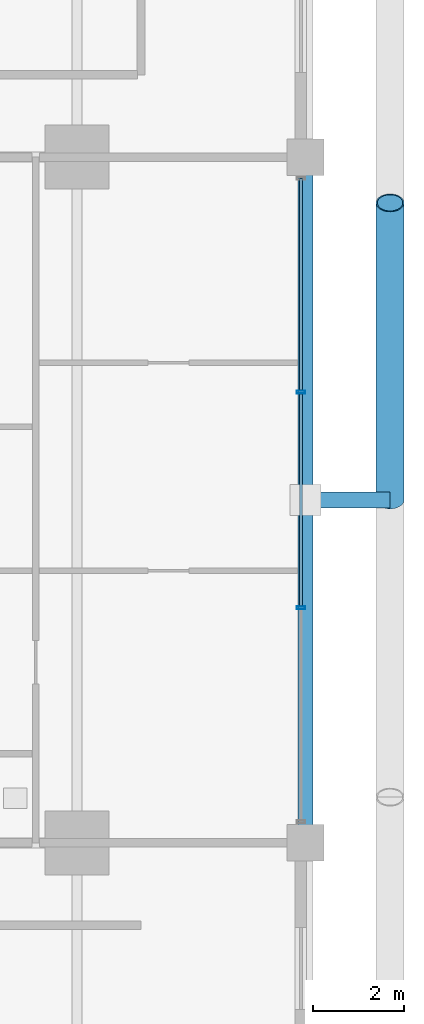
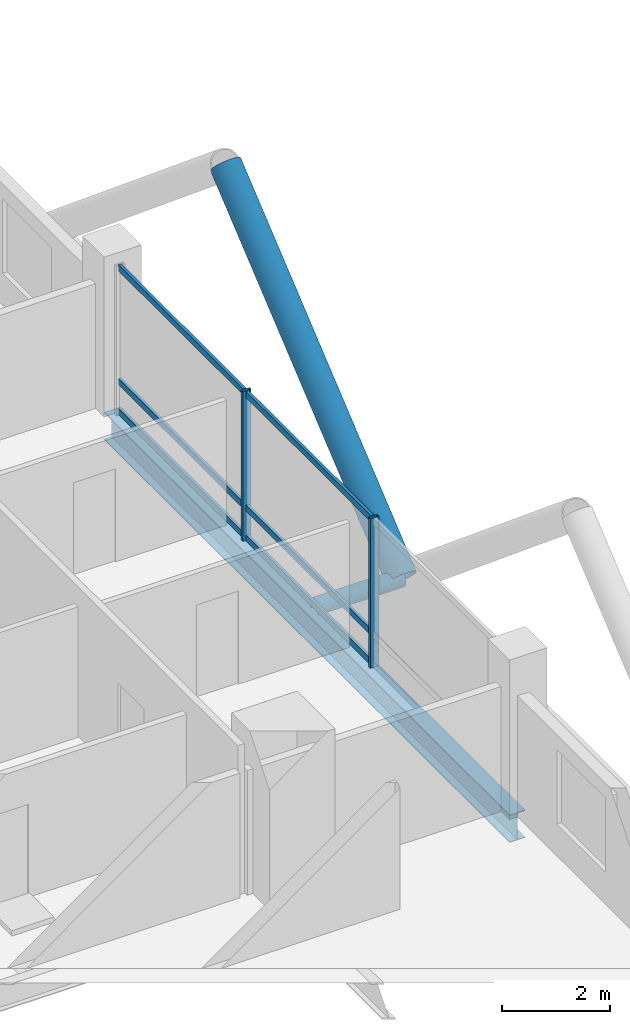
# One storey, part 12 of 27: 10 members, 1 beam, 1 element without a shape of its own.
"""IFC4 building model written with IfcOpenShell, lengths in metres."""

from ifc_helpers import new_model, si_unit, direction, frame, origin, origin_2d, place, context, subcontext, project, spatial, hollow_rectangle, hollow_circle, i_section, extrude, material, layer, layer_set, material_profile, profile_set, type_object, element, aggregate, save


model = new_model("IFC4")

# Units and contexts
model_context = context("Model", 3, precision=1e-05, world=origin(), true_north=direction((0.0, 1.0)))
body_context = subcontext(model_context, "Body", "Model", "MODEL_VIEW")
ifc_project = project(units=[si_unit("LENGTHUNIT", "METRE"), si_unit("AREAUNIT", "SQUARE_METRE"), si_unit("VOLUMEUNIT", "CUBIC_METRE"), si_unit("PLANEANGLEUNIT", "RADIAN"), si_unit("MASSUNIT", "GRAM", prefix="KILO")], contexts=[model_context])

# Site, building, storey
site_placement = place(None, origin())
site = spatial("IfcSite", under=ifc_project, at=site_placement, CompositionType="ELEMENT")
building_placement = place(site_placement, origin())
building = spatial("IfcBuilding", under=site, at=building_placement, Name="Barlavira Tower and Art Museum", CompositionType="ELEMENT")
storey_placement = place(building_placement, frame((0.0, 0.0, 61.199951171875)))
storey = spatial("IfcBuildingStorey", under=building, at=storey_placement, Name="L14", CompositionType="ELEMENT", Elevation=61.199951171875)

# Curtain wall, members
ifc_material_1 = material(Name="Low-iron coastal laminated glass", Category="glass")
ifc_layer = layer(ifc_material_1, 0.179931640625, Name="Low-iron coastal laminated glass")
ifc_layer_set = layer_set([ifc_layer], Name="Low-iron coastal laminated glass")
curtain_wall_type = type_object("IfcCurtainWallType", Name="Pale-Metal Unitised Curtain Wall Zone 1", PredefinedType="NOTDEFINED", material=ifc_layer_set)
curtain_wall_placement = place(storey_placement, origin())
curtain_wall = element("IfcCurtainWall", 1, at=curtain_wall_placement, inside=storey, type_object=curtain_wall_type, Name="L14 Curtain Wall CW1-L14-E-B3", PredefinedType="NOTDEFINED")
ifc_material_2 = material(Name="Pale anodised aluminium", Category="aluminium")
ifc_material_profile_1 = material_profile(ifc_material_2, hollow_rectangle(XDim=0.06494140625, YDim=0.179931640625, WallThickness=0.00390625, at=origin_2d()), Name="ALU-MULL 65x180x4")
ifc_profile_set_1 = profile_set([ifc_material_profile_1], Name="Pale anodised aluminium")
member_type_1 = type_object("IfcMemberType", Name="Curtain Wall Pale-Metal Mullion 65x180", PredefinedType="MULLION", material=ifc_profile_set_1)
member_1_placement = place(storey_placement, frame((21.89990234375, -2.360107421875, 0.0), z_axis=(0.0, 0.0, 1.0), x_axis=(0.0, 1.0, 0.0)))
member_1 = element("IfcMember", 2, at=member_1_placement, type_object=member_type_1, Name="CW1-L14-E-B3 Mullion 1", PredefinedType="MULLION", context=body_context, shape_type="SweptSolid", body=[
    extrude(hollow_rectangle(XDim=0.06494140625, YDim=0.179931640625, WallThickness=0.00390625, at=origin_2d()), origin(), (0.0, 0.0, 1.0), 3.380126953125),
])
member_2_placement = place(storey_placement, frame((21.89990234375, 2.360107421875, 0.0), z_axis=(0.0, 0.0, 1.0), x_axis=(0.0, 1.0, 0.0)))
member_2 = element("IfcMember", 3, at=member_2_placement, type_object=member_type_1, Name="CW1-L14-E-B3 Mullion 2", PredefinedType="MULLION", context=body_context, shape_type="SweptSolid", body=[
    extrude(hollow_rectangle(XDim=0.06494140625, YDim=0.179931640625, WallThickness=0.00390625, at=origin_2d()), origin(), (0.0, 0.0, 1.0), 3.380126953125),
])
ifc_material_profile_2 = material_profile(ifc_material_2, hollow_rectangle(XDim=0.06494140625, YDim=0.139892578125, WallThickness=0.00390625, at=origin_2d()), Name="ALU-TRAN 65x140x4")
ifc_profile_set_2 = profile_set([ifc_material_profile_2], Name="Pale anodised aluminium")
member_type_2 = type_object("IfcMemberType", Name="Curtain Wall Pale-Metal Transom 65x140", PredefinedType="USERDEFINED", material=ifc_profile_set_2)
member_3_placement = place(storey_placement, frame((21.89990234375, -2.31494140625, 0.070068359375), z_axis=(0.0, 1.0, 0.0), x_axis=(-1.0, 0.0, 0.0)))
member_3 = element("IfcMember", 4, at=member_3_placement, type_object=member_type_2, Name="CW1-L14-E-B3 Transom 1.1", ObjectType="TRANSOM", PredefinedType="USERDEFINED", context=body_context, shape_type="SweptSolid", body=[
    extrude(hollow_rectangle(XDim=0.06494140625, YDim=0.139892578125, WallThickness=0.00390625, at=origin_2d()), origin(), (0.0, 0.0, 1.0), 4.6298828125),
])
member_4_placement = place(storey_placement, frame((21.89990234375, -2.31494140625, 0.744140625), z_axis=(0.0, 1.0, 0.0), x_axis=(-1.0, 0.0, 0.0)))
member_4 = element("IfcMember", 5, at=member_4_placement, type_object=member_type_2, Name="CW1-L14-E-B3 Transom 1.2", ObjectType="TRANSOM", PredefinedType="USERDEFINED", context=body_context, shape_type="SweptSolid", body=[
    extrude(hollow_rectangle(XDim=0.06494140625, YDim=0.139892578125, WallThickness=0.00390625, at=origin_2d()), origin(), (0.0, 0.0, 1.0), 4.6298828125),
])
member_5_placement = place(storey_placement, frame((21.89990234375, -2.31494140625, 3.31005859375), z_axis=(0.0, 1.0, 0.0), x_axis=(-1.0, 0.0, 0.0)))
member_5 = element("IfcMember", 6, at=member_5_placement, type_object=member_type_2, Name="CW1-L14-E-B3 Transom 1.3", ObjectType="TRANSOM", PredefinedType="USERDEFINED", context=body_context, shape_type="SweptSolid", body=[
    extrude(hollow_rectangle(XDim=0.06494140625, YDim=0.139892578125, WallThickness=0.00390625, at=origin_2d()), origin(), (0.0, 0.0, 1.0), 4.6298828125),
])
member_6_placement = place(storey_placement, frame((21.89990234375, 2.405029296875, 0.070068359375), z_axis=(0.0, 1.0, 0.0), x_axis=(-1.0, 0.0, 0.0)))
member_6 = element("IfcMember", 7, at=member_6_placement, type_object=member_type_2, Name="CW1-L14-E-B3 Transom 2.1", ObjectType="TRANSOM", PredefinedType="USERDEFINED", context=body_context, shape_type="SweptSolid", body=[
    extrude(hollow_rectangle(XDim=0.06494140625, YDim=0.139892578125, WallThickness=0.00390625, at=origin_2d()), origin(), (0.0, 0.0, 1.0), 4.6298828125),
])
member_7_placement = place(storey_placement, frame((21.89990234375, 2.405029296875, 0.744140625), z_axis=(0.0, 1.0, 0.0), x_axis=(-1.0, 0.0, 0.0)))
member_7 = element("IfcMember", 8, at=member_7_placement, type_object=member_type_2, Name="CW1-L14-E-B3 Transom 2.2", ObjectType="TRANSOM", PredefinedType="USERDEFINED", context=body_context, shape_type="SweptSolid", body=[
    extrude(hollow_rectangle(XDim=0.06494140625, YDim=0.139892578125, WallThickness=0.00390625, at=origin_2d()), origin(), (0.0, 0.0, 1.0), 4.6298828125),
])
member_8_placement = place(storey_placement, frame((21.89990234375, 2.405029296875, 3.31005859375), z_axis=(0.0, 1.0, 0.0), x_axis=(-1.0, 0.0, 0.0)))
member_8 = element("IfcMember", 9, at=member_8_placement, type_object=member_type_2, Name="CW1-L14-E-B3 Transom 2.3", ObjectType="TRANSOM", PredefinedType="USERDEFINED", context=body_context, shape_type="SweptSolid", body=[
    extrude(hollow_rectangle(XDim=0.06494140625, YDim=0.139892578125, WallThickness=0.00390625, at=origin_2d()), origin(), (0.0, 0.0, 1.0), 4.6298828125),
])
aggregate(curtain_wall, [member_1, member_2, member_3, member_4, member_5, member_6, member_7, member_8])

# Members
ifc_material_3 = material(Name="Steel S355", Category="steel")
ifc_material_profile_3 = material_profile(ifc_material_3, hollow_circle(Radius=0.304931640625, WallThickness=0.028076171875, at=origin_2d()), Name="CHS 610.0x28.0")
ifc_profile_set_3 = profile_set([ifc_material_profile_3], Name="Steel S355")
member_type_3 = type_object("IfcMemberType", Name="Pale-Metal Exoskeleton Diagrid Tube CHS 610x28 Steel S355", PredefinedType="BRACE", material=ifc_profile_set_3)
member_9_placement = place(storey_placement, frame((23.85009765625, 0.0, -0.119873046875), z_axis=(0.0, 0.769196053329, 0.639012857104), x_axis=(-1.0, 0.0, 0.0)))
element("IfcMember", 10, at=member_9_placement, inside=storey, type_object=member_type_3, Name="L14 Exoskeleton Diagrid Tube E", PredefinedType="BRACE", context=body_context, shape_type="SweptSolid", body=[
    extrude(hollow_circle(Radius=0.304931640625, WallThickness=0.028076171875, at=origin_2d()), origin(), (0.0, 0.0, 1.0), 8.450439453125),
])
ifc_material_profile_4 = material_profile(ifc_material_3, hollow_circle(Radius=0.177734375, WallThickness=0.01611328125, at=origin_2d()), Name="CHS 355.6x16.0")
ifc_profile_set_4 = profile_set([ifc_material_profile_4], Name="Steel S355")
member_type_4 = type_object("IfcMemberType", Name="Pale-Metal Exoskeleton Tie Strut CHS 356x16 Steel S355", PredefinedType="STRUT", material=ifc_profile_set_4)
member_10_placement = place(storey_placement, frame((23.85009765625, 0.0, -0.119873046875), z_axis=(-1.0, 0.0, 0.0), x_axis=(0.0, -1.0, 0.0)))
element("IfcMember", 11, at=member_10_placement, inside=storey, type_object=member_type_4, Name="L14 Exoskeleton Tie Strut E2", PredefinedType="STRUT", context=body_context, shape_type="SweptSolid", body=[
    extrude(hollow_circle(Radius=0.177734375, WallThickness=0.01611328125, at=origin_2d()), origin(), (0.0, 0.0, 1.0), 1.85009765625),
])

# Beam
ifc_material_profile_5 = material_profile(ifc_material_3, i_section(OverallWidth=0.327880859375, OverallDepth=0.62890625, WebThickness=0.013916015625, FlangeThickness=0.021484375, at=origin_2d()), Name="W610x174.0")
ifc_profile_set_5 = profile_set([ifc_material_profile_5], Name="Steel S355")
beam_type = type_object("IfcBeamType", Name="Perimeter Spandrel Edge Beam W610x174 Steel S355", PredefinedType="SPANDREL", material=ifc_profile_set_5)
beam_placement = place(storey_placement, frame((22.0, -7.5, -0.534423828125), z_axis=(0.0, 1.0, 0.0), x_axis=(-1.0, 0.0, 0.0)))
element("IfcBeam", 12, at=beam_placement, inside=storey, type_object=beam_type, Name="L14 Spandrel 6", PredefinedType="SPANDREL", context=body_context, shape_type="SweptSolid", body=[
    extrude(i_section(OverallWidth=0.327880859375, OverallDepth=0.62890625, WebThickness=0.013916015625, FlangeThickness=0.021484375, at=origin_2d()), origin(), (0.0, 0.0, 1.0), 15.0),
])

save(model, "model.ifc")
